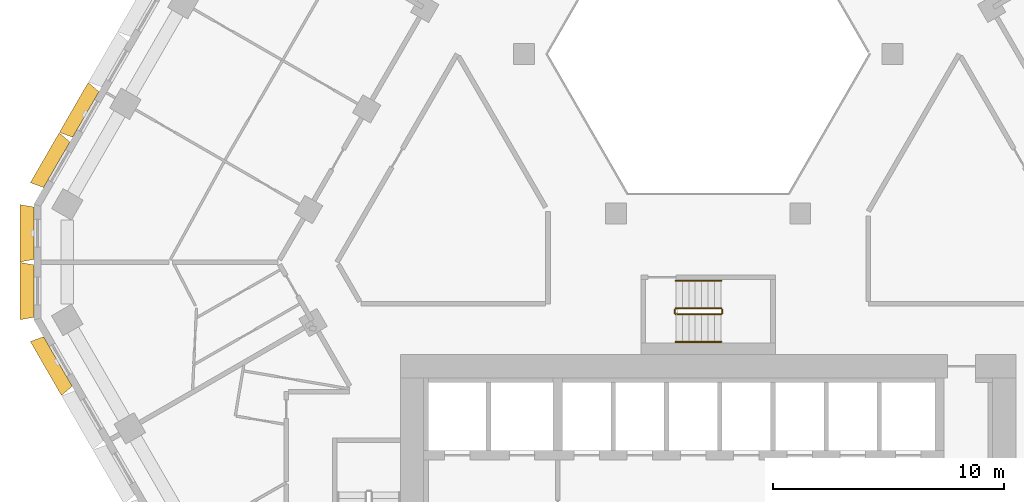
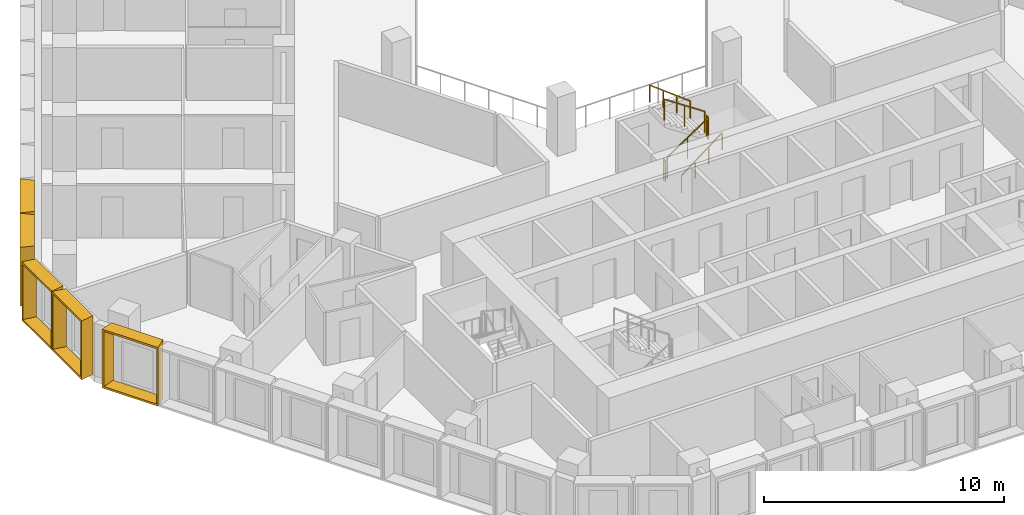
# One storey, part 16 of 18: 6 railings, 5 shading devices.
"""IFC4 building model written with IfcOpenShell, lengths in metres."""

from ifc_helpers import new_model, entity, si_unit, direction, frame, origin, origin_2d, place, context, subcontext, project, spatial, rectangle, extrude, source, transform, mapped, material, type_object, type_shapes, element, save


model = new_model("IFC4")

# Units and contexts
model_context = context("Model", 3, precision=1e-05, world=origin(), true_north=direction((0.0, 1.0)))
body_context = subcontext(model_context, "Body", "Model", "MODEL_VIEW")
ifc_project = project(units=[si_unit("LENGTHUNIT", "METRE"), si_unit("AREAUNIT", "SQUARE_METRE"), si_unit("VOLUMEUNIT", "CUBIC_METRE"), si_unit("PLANEANGLEUNIT", "RADIAN"), si_unit("MASSUNIT", "GRAM", prefix="KILO")], contexts=[model_context])

# Site, building, storey
site_placement = place(None, origin())
site = spatial("IfcSite", under=ifc_project, at=site_placement, CompositionType="ELEMENT")
building_placement = place(site_placement, origin())
building = spatial("IfcBuilding", under=site, at=building_placement, Name="Beryl Residences", CompositionType="ELEMENT")
storey_placement = place(building_placement, frame((0.0, 0.0, 93.0)))
storey = spatial("IfcBuildingStorey", under=building, at=storey_placement, Name="L28", CompositionType="ELEMENT", Elevation=93.0)

# Shading devices
ifc_material_1 = material(Name="Aluminium pale anodised", Category="aluminium")
shading_device_type_1 = type_object("IfcShadingDeviceType", Name="FR250-60A OUTER SKIN frame 600 mm deep, splay 10/10 deg, 2500 x 3000 mm cell", PredefinedType="USERDEFINED", material=ifc_material_1)
cartesian_point_1 = entity("IfcCartesianPoint", [-1.134033203125, 0.0])
cartesian_point_2 = entity("IfcCartesianPoint", [-1.052734375, 0.10009765625])
cartesian_point_3 = entity("IfcCartesianPoint", [-1.23974609375, 0.0])
cartesian_point_4 = entity("IfcCartesianPoint", [-1.158447265625, 0.10009765625])
shared_shape_1 = source(origin(), body_context, "Body", "SweptSolid", [
    entity("IfcExtrudedAreaSolidTapered", entity("IfcArbitraryProfileDefWithVoids", "AREA", None, entity("IfcPolyline", [cartesian_point_1, entity("IfcCartesianPoint", [1.134033203125, 0.0]), entity("IfcCartesianPoint", [1.134033203125, 3.0]), entity("IfcCartesianPoint", [-1.134033203125, 3.0]), cartesian_point_1]), [entity("IfcPolyline", [cartesian_point_2, entity("IfcCartesianPoint", [1.052734375, 0.10009765625]), entity("IfcCartesianPoint", [1.052734375, 2.89990234375]), entity("IfcCartesianPoint", [-1.052734375, 2.89990234375]), cartesian_point_2])]), entity("IfcAxis2Placement3D", entity("IfcCartesianPoint", [0.0, 0.0, 0.0]), entity("IfcDirection", [0.0, 1.0, 0.0]), entity("IfcDirection", [-1.0, 0.0, 0.0])), entity("IfcDirection", [0.0, 0.0, 1.0]), 0.60009765625, entity("IfcArbitraryProfileDefWithVoids", "AREA", None, entity("IfcPolyline", [cartesian_point_3, entity("IfcCartesianPoint", [1.23974609375, 0.0]), entity("IfcCartesianPoint", [1.23974609375, 3.0]), entity("IfcCartesianPoint", [-1.23974609375, 3.0]), cartesian_point_3]), [entity("IfcPolyline", [cartesian_point_4, entity("IfcCartesianPoint", [1.158447265625, 0.10009765625]), entity("IfcCartesianPoint", [1.158447265625, 2.89990234375]), entity("IfcCartesianPoint", [-1.158447265625, 2.89990234375]), cartesian_point_4])])),
])
type_shapes(shading_device_type_1, [shared_shape_1])
for number, where, z_axis, x_axis, name in (
    (1, (-29.156982421875, 0.25, 0.0), (0.0, 0.0, 1.0), (0.0, 1.0, 0.0), "FR250-60A frame L28 NW-SW 1"),
    (2, (-29.156982421875, -2.25, 0.0), (0.0, 0.0, 1.0), (0.0, 1.0, 0.0), "FR250-60A frame L28 NW-SW 2"),
):
    element("IfcShadingDevice", number, at=place(storey_placement, frame(where, z_axis=z_axis, x_axis=x_axis)), inside=storey, type_object=shading_device_type_1, Name=name, ObjectType="OUTER SKIN", PredefinedType="USERDEFINED", context=body_context, shape_type="MappedRepresentation", body=[
        mapped(shared_shape_1, transform((0.0, 0.0, 0.0))),
    ])
ifc_material_2 = material(Name="Aluminium pale anodised", Category="aluminium")
shading_device_type_2 = type_object("IfcShadingDeviceType", Name="FR251-60A OUTER SKIN frame 600 mm deep, splay 10/10 deg, 2510 x 3000 mm cell", PredefinedType="USERDEFINED", material=ifc_material_2)
cartesian_point_5 = entity("IfcCartesianPoint", [-1.138916015625, 0.0])
cartesian_point_6 = entity("IfcCartesianPoint", [-1.057861328125, 0.10009765625])
cartesian_point_7 = entity("IfcCartesianPoint", [-1.244873046875, 0.0])
cartesian_point_8 = entity("IfcCartesianPoint", [-1.16357421875, 0.10009765625])
shared_shape_2 = source(origin(), body_context, "Body", "SweptSolid", [
    entity("IfcExtrudedAreaSolidTapered", entity("IfcArbitraryProfileDefWithVoids", "AREA", None, entity("IfcPolyline", [cartesian_point_5, entity("IfcCartesianPoint", [1.138916015625, 0.0]), entity("IfcCartesianPoint", [1.138916015625, 3.0]), entity("IfcCartesianPoint", [-1.138916015625, 3.0]), cartesian_point_5]), [entity("IfcPolyline", [cartesian_point_6, entity("IfcCartesianPoint", [1.057861328125, 0.10009765625]), entity("IfcCartesianPoint", [1.057861328125, 2.89990234375]), entity("IfcCartesianPoint", [-1.057861328125, 2.89990234375]), cartesian_point_6])]), entity("IfcAxis2Placement3D", entity("IfcCartesianPoint", [0.0, 0.0, 0.0]), entity("IfcDirection", [0.0, 1.0, 0.0]), entity("IfcDirection", [-1.0, 0.0, 0.0])), entity("IfcDirection", [0.0, 0.0, 1.0]), 0.60009765625, entity("IfcArbitraryProfileDefWithVoids", "AREA", None, entity("IfcPolyline", [cartesian_point_7, entity("IfcCartesianPoint", [1.244873046875, 0.0]), entity("IfcCartesianPoint", [1.244873046875, 3.0]), entity("IfcCartesianPoint", [-1.244873046875, 3.0]), cartesian_point_7]), [entity("IfcPolyline", [cartesian_point_8, entity("IfcCartesianPoint", [1.16357421875, 0.10009765625]), entity("IfcCartesianPoint", [1.16357421875, 2.89990234375]), entity("IfcCartesianPoint", [-1.16357421875, 2.89990234375]), cartesian_point_8])])),
])
type_shapes(shading_device_type_2, [shared_shape_2])
for number, where, z_axis, x_axis, name in (
    (3, (-26.912109375, 5.387939453125, 0.0), (0.0, 0.0, 1.0), (0.5, 0.866025403784, 0.0), "FR251-60A frame L28 NW 9"),
    (4, (-28.16796875, 3.212890625, 0.0), (0.0, 0.0, 1.0), (0.5, 0.866025403784, 0.0), "FR251-60A frame L28 NW 10"),
):
    element("IfcShadingDevice", number, at=place(storey_placement, frame(where, z_axis=z_axis, x_axis=x_axis)), inside=storey, type_object=shading_device_type_2, Name=name, ObjectType="OUTER SKIN", PredefinedType="USERDEFINED", context=body_context, shape_type="MappedRepresentation", body=[
        mapped(shared_shape_2, transform((0.0, 0.0, 0.0))),
    ])
ifc_material_3 = material(Name="Aluminium pale anodised", Category="aluminium")
shading_device_type_3 = type_object("IfcShadingDeviceType", Name="FR271-60A OUTER SKIN frame 600 mm deep, splay 10/10 deg, 2710 x 3000 mm cell", PredefinedType="USERDEFINED", material=ifc_material_3)
cartesian_point_9 = entity("IfcCartesianPoint", [-1.239013671875, 0.0])
cartesian_point_10 = entity("IfcCartesianPoint", [-1.15771484375, 0.10009765625])
cartesian_point_11 = entity("IfcCartesianPoint", [-1.3447265625, 0.0])
cartesian_point_12 = entity("IfcCartesianPoint", [-1.263671875, 0.10009765625])
shared_shape_3 = source(origin(), body_context, "Body", "SweptSolid", [
    entity("IfcExtrudedAreaSolidTapered", entity("IfcArbitraryProfileDefWithVoids", "AREA", None, entity("IfcPolyline", [cartesian_point_9, entity("IfcCartesianPoint", [1.239013671875, 0.0]), entity("IfcCartesianPoint", [1.239013671875, 3.0]), entity("IfcCartesianPoint", [-1.239013671875, 3.0]), cartesian_point_9]), [entity("IfcPolyline", [cartesian_point_10, entity("IfcCartesianPoint", [1.15771484375, 0.10009765625]), entity("IfcCartesianPoint", [1.15771484375, 2.89990234375]), entity("IfcCartesianPoint", [-1.15771484375, 2.89990234375]), cartesian_point_10])]), entity("IfcAxis2Placement3D", entity("IfcCartesianPoint", [0.0, 0.0, 0.0]), entity("IfcDirection", [0.0, 1.0, 0.0]), entity("IfcDirection", [-1.0, 0.0, 0.0])), entity("IfcDirection", [0.0, 0.0, 1.0]), 0.60009765625, entity("IfcArbitraryProfileDefWithVoids", "AREA", None, entity("IfcPolyline", [cartesian_point_11, entity("IfcCartesianPoint", [1.3447265625, 0.0]), entity("IfcCartesianPoint", [1.3447265625, 3.0]), entity("IfcCartesianPoint", [-1.3447265625, 3.0]), cartesian_point_11]), [entity("IfcPolyline", [cartesian_point_12, entity("IfcCartesianPoint", [1.263671875, 0.10009765625]), entity("IfcCartesianPoint", [1.263671875, 2.89990234375]), entity("IfcCartesianPoint", [-1.263671875, 2.89990234375]), cartesian_point_12])])),
])
type_shapes(shading_device_type_3, [shared_shape_3])
shading_device_placement = place(storey_placement, frame((-28.118896484375, -5.2958984375, 0.0), z_axis=(0.0, 0.0, 1.0), x_axis=(-0.5, 0.866025403784, 0.0)))
element("IfcShadingDevice", 5, at=shading_device_placement, inside=storey, type_object=shading_device_type_3, Name="FR271-60A frame L28 SW 1", ObjectType="OUTER SKIN", PredefinedType="USERDEFINED", context=body_context, shape_type="MappedRepresentation", body=[
    mapped(shared_shape_3, transform((0.0, 0.0, 0.0))),
])

# Railings
ifc_material_4 = material(Name="Stainless steel balustrade with glass infill", Category="steel")
railing_type_1 = type_object("IfcRailingType", Name="SG1 stair guard 1100 mm", PredefinedType="GUARDRAIL", material=ifc_material_4)
railing_1_placement = place(storey_placement, frame((-1.39990234375, -3.25, 0.1875)))
element("IfcRailing", 6, at=railing_1_placement, inside=storey, type_object=railing_type_1, Name="L28 ST-4 stair guard 1", PredefinedType="GUARDRAIL", context=body_context, shape_type="SweptSolid", body=[
    extrude(rectangle(XDim=0.048095703125, YDim=0.048095703125, at=origin_2d()), frame((0.0, 0.0, 1.076171875), z_axis=(0.830902050051, 0.0, 0.556418712142), x_axis=(0.0, 1.0, 0.0)), (0.0, 0.0, 1.0), 2.35888671875),
    extrude(rectangle(XDim=0.0419921875, YDim=0.0419921875, at=origin_2d()), origin(), (0.0, 0.0, 1.0), 1.052001953125),
    extrude(rectangle(XDim=0.0419921875, YDim=0.0419921875, at=origin_2d()), frame((0.97998046875, 0.0, 0.65625)), (0.0, 0.0, 1.0), 1.052001953125),
    extrude(rectangle(XDim=0.0419921875, YDim=0.0419921875, at=origin_2d()), frame((1.9599609375, 0.0, 1.3125)), (0.0, 0.0, 1.0), 1.052001953125),
])
railing_2_placement = place(storey_placement, frame((0.610107421875, -3.199951171875, 1.5)))
element("IfcRailing", 7, at=railing_2_placement, inside=storey, type_object=railing_type_1, Name="L28 ST-4 stair guard 2", PredefinedType="GUARDRAIL", context=body_context, shape_type="SweptSolid", body=[
    extrude(rectangle(XDim=0.048095703125, YDim=0.048095703125, at=origin_2d()), frame((0.0, 0.0, 1.076171875), z_axis=(0.0, 1.0, 0.0), x_axis=(-1.0, 0.0, 0.0)), (0.0, 0.0, 1.0), 0.14990234375),
    extrude(rectangle(XDim=0.0419921875, YDim=0.0419921875, at=origin_2d()), origin(), (0.0, 0.0, 1.0), 1.052001953125),
    extrude(rectangle(XDim=0.0419921875, YDim=0.0419921875, at=origin_2d()), frame((0.0, 0.14990234375, 0.0)), (0.0, 0.0, 1.0), 1.052001953125),
])
railing_3_placement = place(storey_placement, frame((0.56005859375, -3.0, 1.6875)))
element("IfcRailing", 8, at=railing_3_placement, inside=storey, type_object=railing_type_1, Name="L28 ST-4 stair guard 3", PredefinedType="GUARDRAIL", context=body_context, shape_type="SweptSolid", body=[
    extrude(rectangle(XDim=0.048095703125, YDim=0.048095703125, at=origin_2d()), frame((0.0, 0.0, 1.076171875), z_axis=(-0.830902050051, 0.0, 0.556418712142), x_axis=(0.0, -1.0, 0.0)), (0.0, 0.0, 1.0), 2.35888671875),
    extrude(rectangle(XDim=0.0419921875, YDim=0.0419921875, at=origin_2d()), origin(), (0.0, 0.0, 1.0), 1.052001953125),
    extrude(rectangle(XDim=0.0419921875, YDim=0.0419921875, at=origin_2d()), frame((-0.97998046875, 0.0, 0.65625)), (0.0, 0.0, 1.0), 1.052001953125),
    extrude(rectangle(XDim=0.0419921875, YDim=0.0419921875, at=origin_2d()), frame((-1.9599609375, 0.0, 1.3125)), (0.0, 0.0, 1.0), 1.052001953125),
])
railing_4_placement = place(storey_placement, frame((-1.449951171875, -3.199951171875, 0.0)))
element("IfcRailing", 9, at=railing_4_placement, inside=storey, type_object=railing_type_1, Name="L28 ST-4 stair guard 4", PredefinedType="GUARDRAIL", context=body_context, shape_type="SweptSolid", body=[
    extrude(rectangle(XDim=0.048095703125, YDim=0.048095703125, at=origin_2d()), frame((0.0, 0.0, 1.076171875), z_axis=(0.0, 1.0, 0.0), x_axis=(-1.0, 0.0, 0.0)), (0.0, 0.0, 1.0), 0.14990234375),
    extrude(rectangle(XDim=0.0419921875, YDim=0.0419921875, at=origin_2d()), origin(), (0.0, 0.0, 1.0), 1.052001953125),
    extrude(rectangle(XDim=0.0419921875, YDim=0.0419921875, at=origin_2d()), frame((0.0, 0.14990234375, 0.0)), (0.0, 0.0, 1.0), 1.052001953125),
])
ifc_material_5 = material(Name="Stainless steel handrail", Category="steel")
railing_type_2 = type_object("IfcRailingType", Name="SRL1 stair handrail 900 mm", PredefinedType="HANDRAIL", material=ifc_material_5)
railing_5_placement = place(storey_placement, frame((-1.39990234375, -4.449951171875, 0.1875)))
element("IfcRailing", 10, at=railing_5_placement, inside=storey, type_object=railing_type_2, Name="L28 ST-4 stair handrail 1", PredefinedType="HANDRAIL", context=body_context, shape_type="SweptSolid", body=[
    extrude(rectangle(XDim=0.048095703125, YDim=0.048095703125, at=origin_2d()), frame((0.0, 0.0, 0.8759765625), z_axis=(0.794121922505, 0.0, 0.607758481798), x_axis=(0.0, 1.0, 0.0)), (0.0, 0.0, 1.0), 2.468017578125),
    extrude(rectangle(XDim=0.0419921875, YDim=0.0419921875, at=origin_2d()), origin(), (0.0, 0.0, 1.0), 0.851806640625),
    extrude(rectangle(XDim=0.0419921875, YDim=0.0419921875, at=origin_2d()), frame((0.6533203125, 0.0, 0.5)), (0.0, 0.0, 1.0), 0.851806640625),
    extrude(rectangle(XDim=0.0419921875, YDim=0.0419921875, at=origin_2d()), frame((1.306640625, 0.0, 1.0)), (0.0, 0.0, 1.0), 0.851806640625),
    extrude(rectangle(XDim=0.0419921875, YDim=0.0419921875, at=origin_2d()), frame((1.9599609375, 0.0, 1.5)), (0.0, 0.0, 1.0), 0.851806640625),
])
railing_6_placement = place(storey_placement, frame((0.56005859375, -1.800048828125, 1.6875)))
element("IfcRailing", 11, at=railing_6_placement, inside=storey, type_object=railing_type_2, Name="L28 ST-4 stair handrail 2", PredefinedType="HANDRAIL", context=body_context, shape_type="SweptSolid", body=[
    extrude(rectangle(XDim=0.048095703125, YDim=0.048095703125, at=origin_2d()), frame((0.0, 0.0, 0.8759765625), z_axis=(-0.794121922505, 0.0, 0.607758481798), x_axis=(0.0, -1.0, 0.0)), (0.0, 0.0, 1.0), 2.468017578125),
    extrude(rectangle(XDim=0.0419921875, YDim=0.0419921875, at=origin_2d()), origin(), (0.0, 0.0, 1.0), 0.851806640625),
    extrude(rectangle(XDim=0.0419921875, YDim=0.0419921875, at=origin_2d()), frame((-0.6533203125, 0.0, 0.5)), (0.0, 0.0, 1.0), 0.851806640625),
    extrude(rectangle(XDim=0.0419921875, YDim=0.0419921875, at=origin_2d()), frame((-1.306640625, 0.0, 1.0)), (0.0, 0.0, 1.0), 0.851806640625),
    extrude(rectangle(XDim=0.0419921875, YDim=0.0419921875, at=origin_2d()), frame((-1.9599609375, 0.0, 1.5)), (0.0, 0.0, 1.0), 0.851806640625),
])

save(model, "model.ifc")
